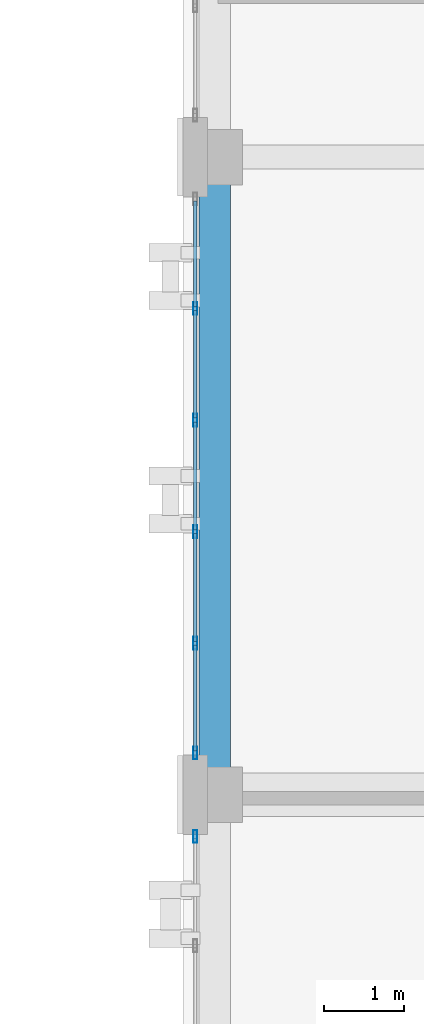
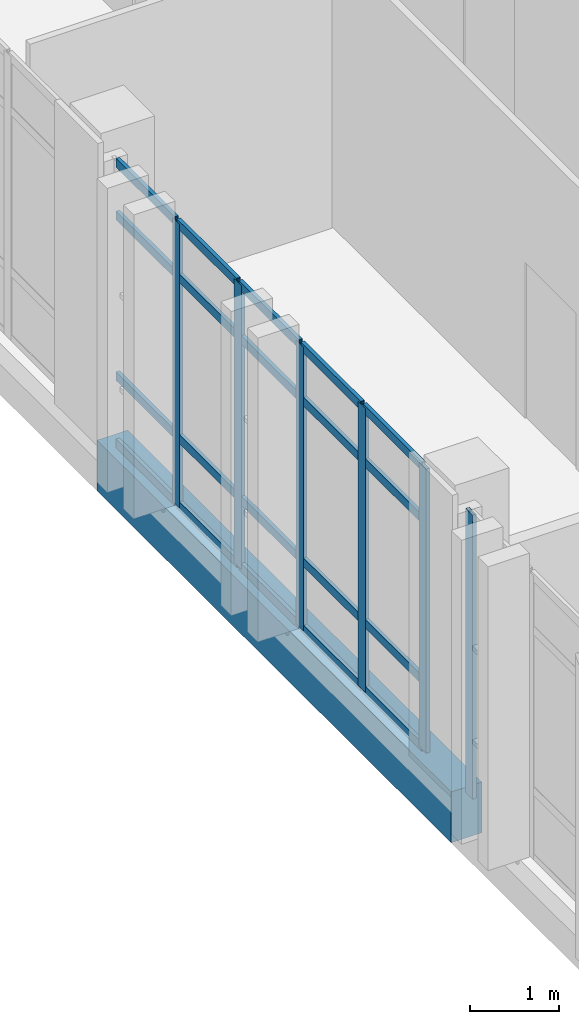
# One storey, part 62 of 193: 26 members, 1 beam, 2 elements without a shape of their own.
"""IFC4 building model written with IfcOpenShell, lengths in metres."""

from ifc_helpers import new_model, si_unit, direction, frame, origin, origin_2d, place, context, subcontext, project, spatial, rectangle, hollow_rectangle, extrude, material, layer, layer_set, material_profile, profile_set, type_object, element, aggregate, save


model = new_model("IFC4")

# Units and contexts
model_context = context("Model", 3, precision=1e-05, world=origin(), true_north=direction((0.0, 1.0)))
body_context = subcontext(model_context, "Body", "Model", "MODEL_VIEW")
ifc_project = project(units=[si_unit("LENGTHUNIT", "METRE"), si_unit("AREAUNIT", "SQUARE_METRE"), si_unit("VOLUMEUNIT", "CUBIC_METRE"), si_unit("PLANEANGLEUNIT", "RADIAN"), si_unit("MASSUNIT", "GRAM", prefix="KILO")], contexts=[model_context])

# Site, building, storey
site_placement = place(None, origin())
site = spatial("IfcSite", under=ifc_project, at=site_placement, CompositionType="ELEMENT")
building_placement = place(site_placement, origin())
building = spatial("IfcBuilding", under=site, at=building_placement, Name="Qalavern Law Courts", CompositionType="ELEMENT")
storey_placement = place(building_placement, frame((0.0, 0.0, 10.199951171875)))
storey = spatial("IfcBuildingStorey", under=building, at=storey_placement, Name="L02", CompositionType="ELEMENT", Elevation=10.199951171875)

# Curtain wall, members
ifc_material_1 = material(Name="Anodised aluminium and insulated glazing", Category="aluminium")
ifc_layer = layer(ifc_material_1, 0.172119140625)
ifc_layer_set = layer_set([ifc_layer], Name="Anodised aluminium and insulated glazing")
curtain_wall_type = type_object("IfcCurtainWallType", Name="ENV-CW-COURT", PredefinedType="USERDEFINED", material=ifc_layer_set)
curtain_wall_1_placement = place(storey_placement, origin())
curtain_wall_1 = element("IfcCurtainWall", 1, at=curtain_wall_1_placement, inside=storey, type_object=curtain_wall_type, Name="V4 unitised curtain wall L02 west 5", ObjectType="UNITISED CURTAIN WALL", PredefinedType="USERDEFINED")
ifc_material_2 = material(Name="Anodised aluminium", Category="aluminium")
ifc_material_profile_1 = material_profile(ifc_material_2, hollow_rectangle(XDim=0.048095703125, YDim=0.159912109375, WallThickness=0.00390625, at=origin_2d()), Name="ALU MULLION 48x160")
ifc_profile_set_1 = profile_set([ifc_material_profile_1], Name="Anodised aluminium")
member_type_1 = type_object("IfcMemberType", Name="ENV-CWM-48x160", PredefinedType="MULLION", material=ifc_profile_set_1)
member_1_placement = place(storey_placement, frame((84.35498046875, 55.5, 0.0), z_axis=(0.0, 0.0, 1.0), x_axis=(1.0, 0.0, 0.0)))
member_1 = element("IfcMember", 2, at=member_1_placement, type_object=member_type_1, Name="CW-03 mullion 2", PredefinedType="MULLION", context=body_context, shape_type="SweptSolid", body=[
    extrude(hollow_rectangle(XDim=0.048095703125, YDim=0.159912109375, WallThickness=0.00390625, at=origin_2d()), origin(), (0.0, 0.0, 1.0), 3.9150390625),
])
member_2_placement = place(storey_placement, frame((84.35498046875, 54.10009765625, 0.0), z_axis=(0.0, 0.0, 1.0), x_axis=(1.0, 0.0, 0.0)))
member_2 = element("IfcMember", 3, at=member_2_placement, type_object=member_type_1, Name="CW-03 mullion 3", PredefinedType="MULLION", context=body_context, shape_type="SweptSolid", body=[
    extrude(hollow_rectangle(XDim=0.048095703125, YDim=0.159912109375, WallThickness=0.00390625, at=origin_2d()), origin(), (0.0, 0.0, 1.0), 3.9150390625),
])
member_3_placement = place(storey_placement, frame((84.35498046875, 52.699951171875, 0.0), z_axis=(0.0, 0.0, 1.0), x_axis=(1.0, 0.0, 0.0)))
member_3 = element("IfcMember", 4, at=member_3_placement, type_object=member_type_1, Name="CW-03 mullion 4", PredefinedType="MULLION", context=body_context, shape_type="SweptSolid", body=[
    extrude(hollow_rectangle(XDim=0.048095703125, YDim=0.159912109375, WallThickness=0.00390625, at=origin_2d()), origin(), (0.0, 0.0, 1.0), 3.9150390625),
])
member_4_placement = place(storey_placement, frame((84.35498046875, 51.300048828125, 0.0), z_axis=(0.0, 0.0, 1.0), x_axis=(1.0, 0.0, 0.0)))
member_4 = element("IfcMember", 5, at=member_4_placement, type_object=member_type_1, Name="CW-03 mullion 5", PredefinedType="MULLION", context=body_context, shape_type="SweptSolid", body=[
    extrude(hollow_rectangle(XDim=0.048095703125, YDim=0.159912109375, WallThickness=0.00390625, at=origin_2d()), origin(), (0.0, 0.0, 1.0), 3.9150390625),
])
member_5_placement = place(storey_placement, frame((84.35498046875, 49.924072265625, 0.0), z_axis=(0.0, 0.0, 1.0), x_axis=(1.0, 0.0, 0.0)))
member_5 = element("IfcMember", 6, at=member_5_placement, type_object=member_type_1, Name="CW-03 mullion 6", PredefinedType="MULLION", context=body_context, shape_type="SweptSolid", body=[
    extrude(hollow_rectangle(XDim=0.048095703125, YDim=0.159912109375, WallThickness=0.00390625, at=origin_2d()), origin(), (0.0, 0.0, 1.0), 3.9150390625),
])

# Curtain wall, member
curtain_wall_2_placement = place(storey_placement, origin())
curtain_wall_2 = element("IfcCurtainWall", 7, at=curtain_wall_2_placement, inside=storey, type_object=curtain_wall_type, Name="V4 unitised curtain wall L02 west 6", ObjectType="UNITISED CURTAIN WALL", PredefinedType="USERDEFINED")
member_6_placement = place(storey_placement, frame((84.35498046875, 48.8759765625, 0.0), z_axis=(0.0, 0.0, 1.0), x_axis=(1.0, 0.0, 0.0)))
member_6 = element("IfcMember", 8, at=member_6_placement, type_object=member_type_1, Name="CW-03 mullion 1", PredefinedType="MULLION", context=body_context, shape_type="SweptSolid", body=[
    extrude(hollow_rectangle(XDim=0.048095703125, YDim=0.159912109375, WallThickness=0.00390625, at=origin_2d()), origin(), (0.0, 0.0, 1.0), 3.9150390625),
])
aggregate(curtain_wall_2, [member_6])

# Member
ifc_material_profile_2 = material_profile(ifc_material_2, hollow_rectangle(XDim=0.048095703125, YDim=0.1201171875, WallThickness=0.00390625, at=origin_2d()), Name="ALU TRANSOM 48x120")
ifc_profile_set_2 = profile_set([ifc_material_profile_2], Name="Anodised aluminium")
member_type_2 = type_object("IfcMemberType", Name="ENV-CWT-48x120", PredefinedType="USERDEFINED", material=ifc_profile_set_2)
member_7_placement = place(storey_placement, frame((84.35498046875, 56.85205078125, 0.024169921875), z_axis=(0.0, -1.0, 0.0), x_axis=(1.0, 0.0, 0.0)))
member_7 = element("IfcMember", 9, at=member_7_placement, type_object=member_type_2, Name="CW-03 transom 1.1", ObjectType="TRANSOM", PredefinedType="USERDEFINED", context=body_context, shape_type="SweptSolid", body=[
    extrude(hollow_rectangle(XDim=0.048095703125, YDim=0.1201171875, WallThickness=0.00390625, at=origin_2d()), origin(), (0.0, 0.0, 1.0), 1.328125),
])

member_8_placement = place(storey_placement, frame((84.35498046875, 56.85205078125, 0.949951171875), z_axis=(0.0, -1.0, 0.0), x_axis=(1.0, 0.0, 0.0)))
member_8 = element("IfcMember", 10, at=member_8_placement, type_object=member_type_2, Name="CW-03 transom 1.2", ObjectType="TRANSOM", PredefinedType="USERDEFINED", context=body_context, shape_type="SweptSolid", body=[
    extrude(hollow_rectangle(XDim=0.048095703125, YDim=0.1201171875, WallThickness=0.00390625, at=origin_2d()), origin(), (0.0, 0.0, 1.0), 1.328125),
])

member_9_placement = place(storey_placement, frame((84.35498046875, 56.85205078125, 3.1650390625), z_axis=(0.0, -1.0, 0.0), x_axis=(1.0, 0.0, 0.0)))
member_9 = element("IfcMember", 11, at=member_9_placement, type_object=member_type_2, Name="CW-03 transom 1.3", ObjectType="TRANSOM", PredefinedType="USERDEFINED", context=body_context, shape_type="SweptSolid", body=[
    extrude(hollow_rectangle(XDim=0.048095703125, YDim=0.1201171875, WallThickness=0.00390625, at=origin_2d()), origin(), (0.0, 0.0, 1.0), 1.328125),
])

member_10_placement = place(storey_placement, frame((84.35498046875, 56.85205078125, 3.89111328125), z_axis=(0.0, -1.0, 0.0), x_axis=(1.0, 0.0, 0.0)))
member_10 = element("IfcMember", 12, at=member_10_placement, type_object=member_type_2, Name="CW-03 transom 1.4", ObjectType="TRANSOM", PredefinedType="USERDEFINED", context=body_context, shape_type="SweptSolid", body=[
    extrude(hollow_rectangle(XDim=0.048095703125, YDim=0.1201171875, WallThickness=0.00390625, at=origin_2d()), origin(), (0.0, 0.0, 1.0), 1.328125),
])

member_11_placement = place(storey_placement, frame((84.35498046875, 55.47607421875, 0.024169921875), z_axis=(0.0, -1.0, 0.0), x_axis=(1.0, 0.0, 0.0)))
member_11 = element("IfcMember", 13, at=member_11_placement, type_object=member_type_2, Name="CW-03 transom 2.1", ObjectType="TRANSOM", PredefinedType="USERDEFINED", context=body_context, shape_type="SweptSolid", body=[
    extrude(hollow_rectangle(XDim=0.048095703125, YDim=0.1201171875, WallThickness=0.00390625, at=origin_2d()), origin(), (0.0, 0.0, 1.0), 1.35205078125),
])

member_12_placement = place(storey_placement, frame((84.35498046875, 55.47607421875, 0.949951171875), z_axis=(0.0, -1.0, 0.0), x_axis=(1.0, 0.0, 0.0)))
member_12 = element("IfcMember", 14, at=member_12_placement, type_object=member_type_2, Name="CW-03 transom 2.2", ObjectType="TRANSOM", PredefinedType="USERDEFINED", context=body_context, shape_type="SweptSolid", body=[
    extrude(hollow_rectangle(XDim=0.048095703125, YDim=0.1201171875, WallThickness=0.00390625, at=origin_2d()), origin(), (0.0, 0.0, 1.0), 1.35205078125),
])

member_13_placement = place(storey_placement, frame((84.35498046875, 55.47607421875, 3.1650390625), z_axis=(0.0, -1.0, 0.0), x_axis=(1.0, 0.0, 0.0)))
member_13 = element("IfcMember", 15, at=member_13_placement, type_object=member_type_2, Name="CW-03 transom 2.3", ObjectType="TRANSOM", PredefinedType="USERDEFINED", context=body_context, shape_type="SweptSolid", body=[
    extrude(hollow_rectangle(XDim=0.048095703125, YDim=0.1201171875, WallThickness=0.00390625, at=origin_2d()), origin(), (0.0, 0.0, 1.0), 1.35205078125),
])

member_14_placement = place(storey_placement, frame((84.35498046875, 55.47607421875, 3.89111328125), z_axis=(0.0, -1.0, 0.0), x_axis=(1.0, 0.0, 0.0)))
member_14 = element("IfcMember", 16, at=member_14_placement, type_object=member_type_2, Name="CW-03 transom 2.4", ObjectType="TRANSOM", PredefinedType="USERDEFINED", context=body_context, shape_type="SweptSolid", body=[
    extrude(hollow_rectangle(XDim=0.048095703125, YDim=0.1201171875, WallThickness=0.00390625, at=origin_2d()), origin(), (0.0, 0.0, 1.0), 1.35205078125),
])

member_15_placement = place(storey_placement, frame((84.35498046875, 54.075927734375, 0.024169921875), z_axis=(0.0, -1.0, 0.0), x_axis=(1.0, 0.0, 0.0)))
member_15 = element("IfcMember", 17, at=member_15_placement, type_object=member_type_2, Name="CW-03 transom 3.1", ObjectType="TRANSOM", PredefinedType="USERDEFINED", context=body_context, shape_type="SweptSolid", body=[
    extrude(hollow_rectangle(XDim=0.048095703125, YDim=0.1201171875, WallThickness=0.00390625, at=origin_2d()), origin(), (0.0, 0.0, 1.0), 1.351806640625),
])

member_16_placement = place(storey_placement, frame((84.35498046875, 54.075927734375, 0.949951171875), z_axis=(0.0, -1.0, 0.0), x_axis=(1.0, 0.0, 0.0)))
member_16 = element("IfcMember", 18, at=member_16_placement, type_object=member_type_2, Name="CW-03 transom 3.2", ObjectType="TRANSOM", PredefinedType="USERDEFINED", context=body_context, shape_type="SweptSolid", body=[
    extrude(hollow_rectangle(XDim=0.048095703125, YDim=0.1201171875, WallThickness=0.00390625, at=origin_2d()), origin(), (0.0, 0.0, 1.0), 1.351806640625),
])

member_17_placement = place(storey_placement, frame((84.35498046875, 54.075927734375, 3.1650390625), z_axis=(0.0, -1.0, 0.0), x_axis=(1.0, 0.0, 0.0)))
member_17 = element("IfcMember", 19, at=member_17_placement, type_object=member_type_2, Name="CW-03 transom 3.3", ObjectType="TRANSOM", PredefinedType="USERDEFINED", context=body_context, shape_type="SweptSolid", body=[
    extrude(hollow_rectangle(XDim=0.048095703125, YDim=0.1201171875, WallThickness=0.00390625, at=origin_2d()), origin(), (0.0, 0.0, 1.0), 1.351806640625),
])

member_18_placement = place(storey_placement, frame((84.35498046875, 54.075927734375, 3.89111328125), z_axis=(0.0, -1.0, 0.0), x_axis=(1.0, 0.0, 0.0)))
member_18 = element("IfcMember", 20, at=member_18_placement, type_object=member_type_2, Name="CW-03 transom 3.4", ObjectType="TRANSOM", PredefinedType="USERDEFINED", context=body_context, shape_type="SweptSolid", body=[
    extrude(hollow_rectangle(XDim=0.048095703125, YDim=0.1201171875, WallThickness=0.00390625, at=origin_2d()), origin(), (0.0, 0.0, 1.0), 1.351806640625),
])

member_19_placement = place(storey_placement, frame((84.35498046875, 52.676025390625, 0.024169921875), z_axis=(0.0, -1.0, 0.0), x_axis=(1.0, 0.0, 0.0)))
member_19 = element("IfcMember", 21, at=member_19_placement, type_object=member_type_2, Name="CW-03 transom 4.1", ObjectType="TRANSOM", PredefinedType="USERDEFINED", context=body_context, shape_type="SweptSolid", body=[
    extrude(hollow_rectangle(XDim=0.048095703125, YDim=0.1201171875, WallThickness=0.00390625, at=origin_2d()), origin(), (0.0, 0.0, 1.0), 1.35205078125),
])

member_20_placement = place(storey_placement, frame((84.35498046875, 52.676025390625, 0.949951171875), z_axis=(0.0, -1.0, 0.0), x_axis=(1.0, 0.0, 0.0)))
member_20 = element("IfcMember", 22, at=member_20_placement, type_object=member_type_2, Name="CW-03 transom 4.2", ObjectType="TRANSOM", PredefinedType="USERDEFINED", context=body_context, shape_type="SweptSolid", body=[
    extrude(hollow_rectangle(XDim=0.048095703125, YDim=0.1201171875, WallThickness=0.00390625, at=origin_2d()), origin(), (0.0, 0.0, 1.0), 1.35205078125),
])

member_21_placement = place(storey_placement, frame((84.35498046875, 52.676025390625, 3.1650390625), z_axis=(0.0, -1.0, 0.0), x_axis=(1.0, 0.0, 0.0)))
member_21 = element("IfcMember", 23, at=member_21_placement, type_object=member_type_2, Name="CW-03 transom 4.3", ObjectType="TRANSOM", PredefinedType="USERDEFINED", context=body_context, shape_type="SweptSolid", body=[
    extrude(hollow_rectangle(XDim=0.048095703125, YDim=0.1201171875, WallThickness=0.00390625, at=origin_2d()), origin(), (0.0, 0.0, 1.0), 1.35205078125),
])

member_22_placement = place(storey_placement, frame((84.35498046875, 52.676025390625, 3.89111328125), z_axis=(0.0, -1.0, 0.0), x_axis=(1.0, 0.0, 0.0)))
member_22 = element("IfcMember", 24, at=member_22_placement, type_object=member_type_2, Name="CW-03 transom 4.4", ObjectType="TRANSOM", PredefinedType="USERDEFINED", context=body_context, shape_type="SweptSolid", body=[
    extrude(hollow_rectangle(XDim=0.048095703125, YDim=0.1201171875, WallThickness=0.00390625, at=origin_2d()), origin(), (0.0, 0.0, 1.0), 1.35205078125),
])

member_23_placement = place(storey_placement, frame((84.35498046875, 51.27587890625, 0.024169921875), z_axis=(0.0, -1.0, 0.0), x_axis=(1.0, 0.0, 0.0)))
member_23 = element("IfcMember", 25, at=member_23_placement, type_object=member_type_2, Name="CW-03 transom 5.1", ObjectType="TRANSOM", PredefinedType="USERDEFINED", context=body_context, shape_type="SweptSolid", body=[
    extrude(hollow_rectangle(XDim=0.048095703125, YDim=0.1201171875, WallThickness=0.00390625, at=origin_2d()), origin(), (0.0, 0.0, 1.0), 1.327880859375),
])

member_24_placement = place(storey_placement, frame((84.35498046875, 51.27587890625, 0.949951171875), z_axis=(0.0, -1.0, 0.0), x_axis=(1.0, 0.0, 0.0)))
member_24 = element("IfcMember", 26, at=member_24_placement, type_object=member_type_2, Name="CW-03 transom 5.2", ObjectType="TRANSOM", PredefinedType="USERDEFINED", context=body_context, shape_type="SweptSolid", body=[
    extrude(hollow_rectangle(XDim=0.048095703125, YDim=0.1201171875, WallThickness=0.00390625, at=origin_2d()), origin(), (0.0, 0.0, 1.0), 1.327880859375),
])

member_25_placement = place(storey_placement, frame((84.35498046875, 51.27587890625, 3.1650390625), z_axis=(0.0, -1.0, 0.0), x_axis=(1.0, 0.0, 0.0)))
member_25 = element("IfcMember", 27, at=member_25_placement, type_object=member_type_2, Name="CW-03 transom 5.3", ObjectType="TRANSOM", PredefinedType="USERDEFINED", context=body_context, shape_type="SweptSolid", body=[
    extrude(hollow_rectangle(XDim=0.048095703125, YDim=0.1201171875, WallThickness=0.00390625, at=origin_2d()), origin(), (0.0, 0.0, 1.0), 1.327880859375),
])

member_26_placement = place(storey_placement, frame((84.35498046875, 51.27587890625, 3.89111328125), z_axis=(0.0, -1.0, 0.0), x_axis=(1.0, 0.0, 0.0)))
member_26 = element("IfcMember", 28, at=member_26_placement, type_object=member_type_2, Name="CW-03 transom 5.4", ObjectType="TRANSOM", PredefinedType="USERDEFINED", context=body_context, shape_type="SweptSolid", body=[
    extrude(hollow_rectangle(XDim=0.048095703125, YDim=0.1201171875, WallThickness=0.00390625, at=origin_2d()), origin(), (0.0, 0.0, 1.0), 1.327880859375),
])

aggregate(curtain_wall_1, [member_1, member_2, member_3, member_4, member_5, member_7, member_8, member_9, member_10, member_11, member_12, member_13, member_14, member_15, member_16, member_17, member_18, member_19, member_20, member_21, member_22, member_23, member_24, member_25, member_26])

# Beam
ifc_material_3 = material(Name="Concrete C40/50", Category="concrete")
ifc_material_profile_3 = material_profile(ifc_material_3, rectangle(XDim=0.39990234375, YDim=0.699951171875, at=origin_2d()), Name="RC 400x700")
ifc_profile_set_3 = profile_set([ifc_material_profile_3], Name="Concrete C40/50")
beam_type = type_object("IfcBeamType", Name="STR-SP-RC400x700", PredefinedType="SPANDREL", material=ifc_profile_set_3)
beam_placement = place(storey_placement, frame((84.60009765625, 49.39990234375, -0.639892578125), z_axis=(0.0, 1.0, 0.0), x_axis=(-1.0, 0.0, 0.0)))
element("IfcBeam", 29, at=beam_placement, inside=storey, type_object=beam_type, Name="V4 Y-beam 1-2 L02", PredefinedType="SPANDREL", context=body_context, shape_type="SweptSolid", body=[
    extrude(rectangle(XDim=0.39990234375, YDim=0.699951171875, at=origin_2d()), origin(), (0.0, 0.0, 1.0), 8.0),
])

save(model, "model.ifc")
